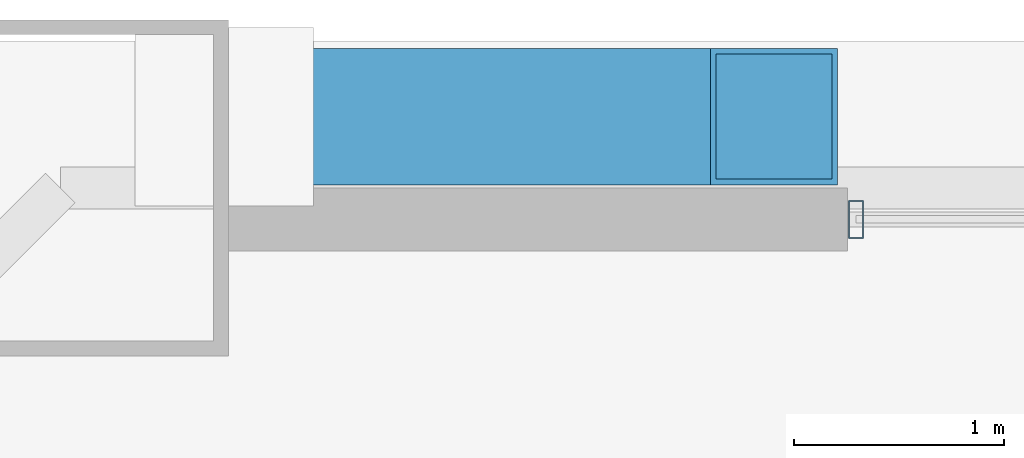
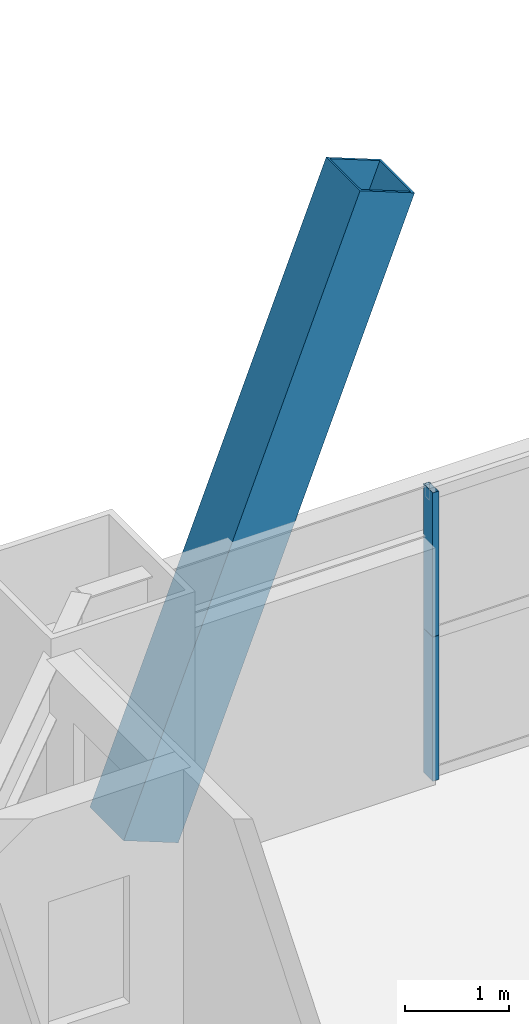
# One storey, part 27 of 43: 3 members, 1 element without a shape of its own.
"""IFC4 building model written with IfcOpenShell, lengths in metres."""

from ifc_helpers import new_model, si_unit, direction, frame, origin, origin_2d, place, context, subcontext, project, spatial, hollow_rectangle, extrude, source, transform, mapped, material, layer, layer_set, material_profile, profile_set, type_object, element, aggregate, save


model = new_model("IFC4")

# Units and contexts
model_context = context("Model", 3, precision=1e-05, world=origin(), true_north=direction((0.0, 1.0)))
body_context = subcontext(model_context, "Body", "Model", "MODEL_VIEW")
ifc_project = project(units=[si_unit("LENGTHUNIT", "METRE"), si_unit("AREAUNIT", "SQUARE_METRE"), si_unit("VOLUMEUNIT", "CUBIC_METRE"), si_unit("PLANEANGLEUNIT", "RADIAN"), si_unit("MASSUNIT", "GRAM", prefix="KILO"), si_unit("THERMODYNAMICTEMPERATUREUNIT", "KELVIN"), si_unit("POWERUNIT", "WATT")], contexts=[model_context])

# Site, building, storey
site_placement = place(None, origin())
site = spatial("IfcSite", under=ifc_project, at=site_placement, CompositionType="ELEMENT")
building_placement = place(site_placement, origin())
building = spatial("IfcBuilding", under=site, at=building_placement, Name="Yuzanri Waterfront Tower", CompositionType="ELEMENT")
storey_placement = place(building_placement, frame((0.0, 0.0, 93.800048828125)))
storey = spatial("IfcBuildingStorey", under=building, at=storey_placement, Name="L24", CompositionType="ELEMENT", Elevation=93.800048828125)

# Member
ifc_material_1 = material(Name="Steel Q420GJC", Category="steel")
ifc_material_profile_1 = material_profile(ifc_material_1, hollow_rectangle(XDim=0.64990234375, YDim=0.64990234375, WallThickness=0.028076171875, at=origin_2d()), Name="RHS 650x650x28")
ifc_profile_set_1 = profile_set([ifc_material_profile_1], Name="Steel Q420GJC")
member_type_1 = type_object("IfcMemberType", Name="Mega Brace Lower Q420GJC RHS 650x650x28", PredefinedType="BRACE", material=ifc_profile_set_1)
shared_shape_1 = source(origin(), body_context, "Body", "SweptSolid", [
    extrude(hollow_rectangle(XDim=0.64990234375, YDim=0.64990234375, WallThickness=0.028076171875, at=origin_2d()), origin(), (0.0, 0.0, 1.0), 7.19384765625),
])
member_1_placement = place(storey_placement, frame((17.780029296875, 49.739990234375, 0.179931640625), z_axis=(0.36417668996, 0.0, 0.9313298763), x_axis=(0.0, 1.0, 0.0)))
element("IfcMember", 1, at=member_1_placement, inside=storey, type_object=member_type_1, Name="L24-L25 Perimeter Mega-Brace N-L", PredefinedType="BRACE", context=body_context, shape_type="MappedRepresentation", body=[
    mapped(shared_shape_1, transform((0.0, 0.0, 0.0), scale=1.0)),
])

# Curtain wall, members
ifc_material_2 = material(Name="Anodized Architectural Bronze", Category="metal")
ifc_layer = layer(ifc_material_2, 0.159912109375)
ifc_layer_set = layer_set([ifc_layer], Name="Anodized Architectural Bronze")
curtain_wall_type = type_object("IfcCurtainWallType", Name="Anodized Bronze Hotel Upper-Tier Solar-Control Unitized Curtain Wall 7800", PredefinedType="NOTDEFINED", material=ifc_layer_set)
curtain_wall_placement = place(storey_placement, origin())
curtain_wall = element("IfcCurtainWall", 2, at=curtain_wall_placement, inside=storey, type_object=curtain_wall_type, Name="L24 Curtain Wall CW-L24-NL", PredefinedType="NOTDEFINED")
ifc_material_3 = material(Name="Anodized Architectural Bronze", Category="metal")
ifc_material_profile_2 = material_profile(ifc_material_3, hollow_rectangle(XDim=0.070068359375, YDim=0.179931640625, WallThickness=0.00390625, at=origin_2d()), Name="CWM 70x180")
ifc_profile_set_2 = profile_set([ifc_material_profile_2], Name="Anodized Architectural Bronze")
member_type_2 = type_object("IfcMemberType", Name="Anodized Bronze Standard Curtain-Wall Mullion 70x180", PredefinedType="MULLION", material=ifc_profile_set_2)
shared_shape_2 = source(origin(), body_context, "Body", "SweptSolid", [
    extrude(hollow_rectangle(XDim=0.070068359375, YDim=0.179931640625, WallThickness=0.00390625, at=origin_2d()), origin(), (0.0, 0.0, 1.0), 1.68798828125),
])
member_2_placement = place(storey_placement, frame((20.7900390625, 49.25, 0.0), z_axis=(0.0, 0.0, 1.0), x_axis=(1.0, 0.0, 0.0)))
member_2 = element("IfcMember", 3, at=member_2_placement, type_object=member_type_2, Name="CW-L24-NL Lower Mullion 00", PredefinedType="MULLION", context=body_context, shape_type="MappedRepresentation", body=[
    mapped(shared_shape_2, transform((0.0, 0.0, 0.0), scale=1.0)),
])
member_3_placement = place(storey_placement, frame((20.7900390625, 49.25, 1.69189453125), z_axis=(0.0, 0.0, 1.0), x_axis=(1.0, 0.0, 0.0)))
member_3 = element("IfcMember", 4, at=member_3_placement, type_object=member_type_2, Name="CW-L24-NL Upper Mullion 00", PredefinedType="MULLION", context=body_context, shape_type="MappedRepresentation", body=[
    mapped(shared_shape_2, transform((0.0, 0.0, 0.0), scale=1.0)),
])
aggregate(curtain_wall, [member_2, member_3])

save(model, "model.ifc")
